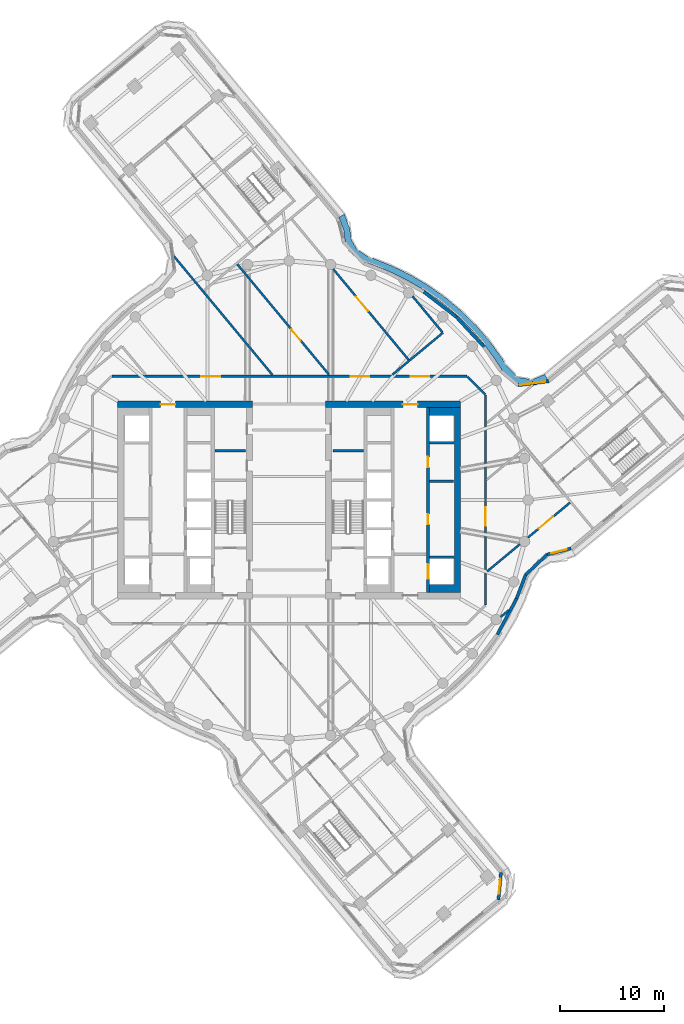
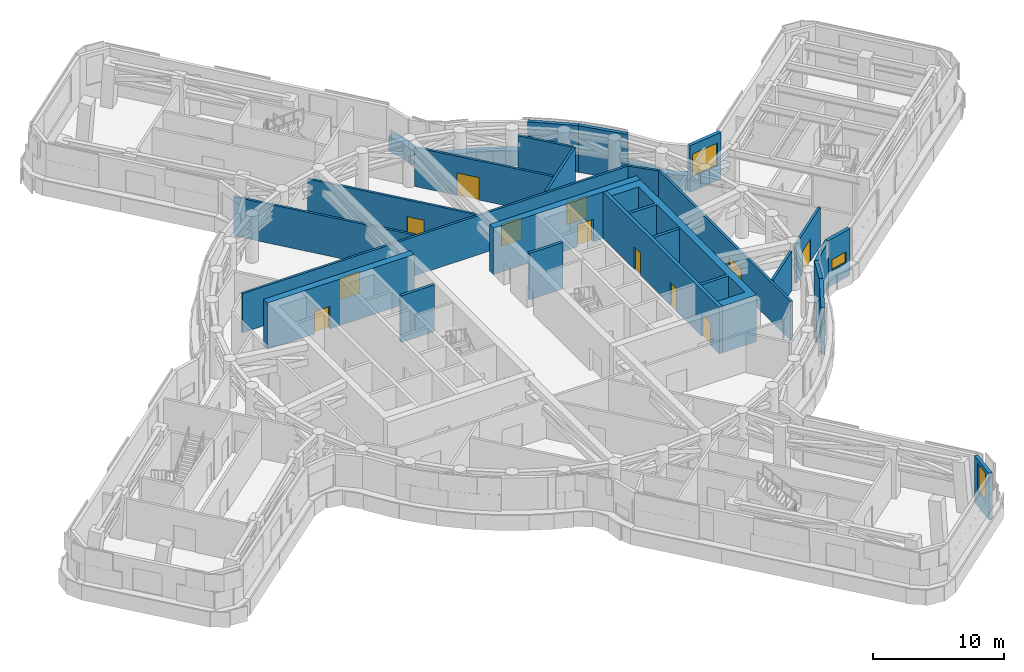
# One storey, part 11 of 22: 26 walls, 12 doors, 3 windows, 1 member, 15 openings.
"""IFC4 building model written with IfcOpenShell, lengths in metres."""

from ifc_helpers import new_model, si_unit, direction, frame, frame_2d, origin, place, context, subcontext, project, spatial, polyline, rectangle, outline, extrude, material, layer, layer_set, type_object, element, fill, aggregate, save


model = new_model("IFC4")

# Units and contexts
model_context = context("Model", 3, precision=1e-05, world=origin(), true_north=direction((0.0, 1.0)))
body_context = subcontext(model_context, "Body", "Model", "MODEL_VIEW")
ifc_project = project(units=[si_unit("LENGTHUNIT", "METRE"), si_unit("AREAUNIT", "SQUARE_METRE"), si_unit("VOLUMEUNIT", "CUBIC_METRE"), si_unit("PLANEANGLEUNIT", "RADIAN"), si_unit("MASSUNIT", "GRAM", prefix="KILO")], contexts=[model_context])

# Member
ifc_material_1 = material(Name="Aluminium and insulated spandrel panel", Category="aluminium")
member_type = type_object("IfcMemberType", Name="Floor-edge blade transom", PredefinedType="USERDEFINED", material=ifc_material_1)
site_placement = place(None, origin())
building_placement = place(site_placement, origin())
storey_placement = place(building_placement, frame((0.0, 0.0, 178.0)))
member_placement = place(storey_placement, origin())
member = element("IfcMember", 1, at=member_placement, type_object=member_type, Name="CWT-L44-10", ObjectType="TRANSOM", PredefinedType="USERDEFINED", context=body_context, shape_type="SweptSolid", body=[
    extrude(outline(polyline([(24.895263671875, 11.555419921875), (23.729248046875, 11.05517578125), (23.177490234375, 10.989990234375), (22.070556640625, 11.180419921875), (21.572021484375, 11.426025390625), (20.46044921875, 12.508544921875), (20.031982421875, 13.2109375), (18.87255859375, 14.820068359375), (17.584228515625, 16.327880859375), (16.17578125, 17.72412109375), (14.656982421875, 18.99951171875), (13.0380859375, 20.14501953125), (11.329833984375, 21.15283203125), (9.54443359375, 22.01611328125), (7.7724609375, 22.703857421875), (7.268798828125, 22.8828125), (6.056640625, 23.691162109375), (5.391357421875, 24.85693359375), (5.250732421875, 25.955322265625), (4.7900390625, 27.18896484375), (5.316650390625, 27.494140625), (5.837158203125, 26.100341796875), (5.971435546875, 25.051025390625), (6.50732421875, 24.11181640625), (7.539794921875, 23.42333984375), (7.9814453125, 23.266357421875), (9.783935546875, 22.566650390625), (11.613525390625, 21.68212890625), (13.3642578125, 20.64892578125), (15.023681640625, 19.474853515625), (16.580810546875, 18.167724609375), (18.0244140625, 16.736572265625), (19.344970703125, 15.19091796875), (20.5322265625, 13.54296875), (20.93310546875, 12.885498046875), (21.922607421875, 11.922119140625), (22.2578125, 11.757080078125), (23.193359375, 11.59619140625), (23.572509765625, 11.640869140625), (24.57958984375, 12.072998046875), (24.895263671875, 11.555419921875)])), origin(), (0.0, 0.0, 1.0), 1.39990234375),
])

# Site, building, storey
site = spatial("IfcSite", under=ifc_project, at=site_placement, CompositionType="ELEMENT")
building = spatial("IfcBuilding", under=site, at=building_placement, Name="Tamarind Cross Interchange Tower", CompositionType="ELEMENT")
storey = spatial("IfcBuildingStorey", under=building, at=storey_placement, Name="L44", CompositionType="ELEMENT", Elevation=178.0)

# Wall, opening, door
ifc_material_2 = material(Name="Concrete C60", Category="concrete")
ifc_layer_1 = layer(ifc_material_2, 0.60009765625)
ifc_layer_set_1 = layer_set([ifc_layer_1], Name="Concrete C60")
wall_type_1 = type_object("IfcWallType", Name="Core wall 600 mm Concrete C60", PredefinedType="SHEAR", material=ifc_layer_set_1)
wall_1_placement = place(storey_placement, frame((-16.5, 9.199951171875, 0.0), z_axis=(0.0, 0.0, 1.0), x_axis=(1.0, 0.0, 0.0)))
wall_1 = element("IfcWall", 2, at=wall_1_placement, inside=storey, type_object=wall_type_1, Name="Core wall CWL-L44-W-NE", PredefinedType="SHEAR", context=body_context, shape_type="SweptSolid", body=[
    extrude(rectangle(XDim=13.0, YDim=0.60009765625, at=frame_2d((6.5, 0.0))), origin(), (0.0, 0.0, 1.0), 4.360107421875),
])
opening_1_placement = place(wall_1_placement, frame((4.14990234375, 0.0, 0.0)))
opening_1 = element("IfcOpeningElement", 3, at=opening_1_placement, cuts=wall_1, Name="Opening DCW31", PredefinedType="OPENING", context=body_context, shape_type="SweptSolid", body=[
    extrude(rectangle(XDim=1.39990234375, YDim=2.10009765625, at=frame_2d((0.699951171875, 1.050048828125))), frame((0.0, 0.31005859375, 0.0), z_axis=(0.0, -1.0, 0.0), x_axis=(1.0, 0.0, 0.0)), (0.0, 0.0, 1.0), 0.6201171875),
])
ifc_material_3 = material(Name="Steel, fire-resisting", Category="steel")
door_type_1 = type_object("IfcDoorType", Name="Core fire door 1400 x 2100 FD90", OperationType="SINGLE_SWING_LEFT", PredefinedType="DOOR", material=ifc_material_3)
door_1_placement = place(opening_1_placement, origin())
door_1 = element("IfcDoor", 4, at=door_1_placement, inside=storey, type_object=door_type_1, Name="L44 lift hall exit door", OperationType="SINGLE_SWING_LEFT", OverallHeight=2.10009765625, OverallWidth=1.39990234375, PredefinedType="DOOR", context=body_context, shape_type="SweptSolid", body=[
    extrude(rectangle(XDim=1.39990234375, YDim=2.10009765625, at=frame_2d((0.699951171875, 1.050048828125))), frame((0.0, 0.02490234375, 0.0), z_axis=(0.0, -1.0, 0.0), x_axis=(1.0, 0.0, 0.0)), (0.0, 0.0, 1.0), 0.050048828125),
])
fill(opening_1, door_1)

# Wall
wall_2_placement = place(storey_placement, origin())
element("IfcWall", 5, at=wall_2_placement, inside=storey, type_object=wall_type_1, Name="Core wall CWL-L44-E-A", PredefinedType="SHEAR", context=body_context, shape_type="SweptSolid", body=[
    extrude(outline(polyline([(13.5, -8.125), (13.5, -8.89990234375), (15.89990234375, -8.89990234375), (16.5, -8.89990234375), (16.5, 8.89990234375), (15.89990234375, 8.89990234375), (13.5, 8.89990234375), (13.5, 8.125), (15.89990234375, 8.125), (15.89990234375, 5.625), (13.5, 5.625), (13.5, 5.375), (15.89990234375, 5.375), (15.89990234375, -5.375), (13.5, -5.375), (13.5, -5.625), (15.89990234375, -5.625), (15.89990234375, -8.125), (13.5, -8.125)])), origin(), (0.0, 0.0, 1.0), 4.360107421875),
])

# Wall, opening, door
wall_3_placement = place(storey_placement, frame((16.5, 9.199951171875, 0.0), z_axis=(0.0, 0.0, 1.0), x_axis=(-1.0, 0.0, 0.0)))
wall_3 = element("IfcWall", 6, at=wall_3_placement, inside=storey, type_object=wall_type_1, Name="Core wall CWL-L44-E-NE", PredefinedType="SHEAR", context=body_context, shape_type="SweptSolid", body=[
    extrude(rectangle(XDim=13.0, YDim=0.60009765625, at=frame_2d((6.5, 0.0))), origin(), (0.0, 0.0, 1.0), 4.360107421875),
])
opening_2_placement = place(wall_3_placement, frame((4.14990234375, 0.0, 0.0)))
opening_2 = element("IfcOpeningElement", 7, at=opening_2_placement, cuts=wall_3, Name="Opening DCE31", PredefinedType="OPENING", context=body_context, shape_type="SweptSolid", body=[
    extrude(rectangle(XDim=1.39990234375, YDim=2.10009765625, at=frame_2d((0.699951171875, 1.050048828125))), frame((0.0, 0.31005859375, 0.0), z_axis=(0.0, -1.0, 0.0), x_axis=(1.0, 0.0, 0.0)), (0.0, 0.0, 1.0), 0.6201171875),
])
door_2_placement = place(opening_2_placement, origin())
door_2 = element("IfcDoor", 8, at=door_2_placement, inside=storey, type_object=door_type_1, Name="L44 lift hall exit door", OperationType="SINGLE_SWING_LEFT", OverallHeight=2.10009765625, OverallWidth=1.39990234375, PredefinedType="DOOR", context=body_context, shape_type="SweptSolid", body=[
    extrude(rectangle(XDim=1.39990234375, YDim=2.10009765625, at=frame_2d((0.699951171875, 1.050048828125))), frame((0.0, 0.02490234375, 0.0), z_axis=(0.0, -1.0, 0.0), x_axis=(1.0, 0.0, 0.0)), (0.0, 0.0, 1.0), 0.050048828125),
])
fill(opening_2, door_2)

# Wall, openings, doors
ifc_layer_2 = layer(ifc_material_2, 0.300048828125)
ifc_layer_set_2 = layer_set([ifc_layer_2], Name="Concrete C60")
wall_type_2 = type_object("IfcWallType", Name="Core web wall 300 mm Concrete C60", PredefinedType="SHEAR", material=ifc_layer_set_2)
wall_4_placement = place(storey_placement, frame((13.35009765625, -8.89990234375, 0.0), z_axis=(0.0, 0.0, 1.0), x_axis=(0.0, 1.0, 0.0)))
wall_4 = element("IfcWall", 9, at=wall_4_placement, inside=storey, type_object=wall_type_2, Name="Core wall CWL-L44-E-LA", PredefinedType="SHEAR", context=body_context, shape_type="SweptSolid", body=[
    extrude(rectangle(XDim=17.7998046875, YDim=0.300048828125, at=frame_2d((8.89990234375, 0.0))), origin(), (0.0, 0.0, 1.0), 4.360107421875),
])
opening_3_placement = place(wall_4_placement, frame((1.324951171875, 0.0, 0.0)))
opening_3 = element("IfcOpeningElement", 10, at=opening_3_placement, cuts=wall_4, Name="Opening LD13L44", PredefinedType="OPENING", context=body_context, shape_type="SweptSolid", body=[
    extrude(rectangle(XDim=1.39990234375, YDim=2.10009765625, at=frame_2d((0.699951171875, 1.050048828125))), frame((0.0, 0.159912109375, 0.0), z_axis=(0.0, -1.0, 0.0), x_axis=(1.0, 0.0, 0.0)), (0.0, 0.0, 1.0), 0.320068359375),
])
opening_4_placement = place(wall_4_placement, frame((6.5458984375, 0.0, 0.0)))
opening_4 = element("IfcOpeningElement", 11, at=opening_4_placement, cuts=wall_4, Name="Opening DCE9", PredefinedType="OPENING", context=body_context, shape_type="SweptSolid", body=[
    extrude(rectangle(XDim=1.0, YDim=2.10009765625, at=frame_2d((0.5, 1.050048828125))), frame((0.0, 0.159912109375, 0.0), z_axis=(0.0, -1.0, 0.0), x_axis=(1.0, 0.0, 0.0)), (0.0, 0.0, 1.0), 0.320068359375),
])
opening_5_placement = place(wall_4_placement, frame((12.0458984375, 0.0, 0.0)))
opening_5 = element("IfcOpeningElement", 12, at=opening_5_placement, cuts=wall_4, Name="Opening DCE10", PredefinedType="OPENING", context=body_context, shape_type="SweptSolid", body=[
    extrude(rectangle(XDim=1.0, YDim=2.10009765625, at=frame_2d((0.5, 1.050048828125))), frame((0.0, 0.159912109375, 0.0), z_axis=(0.0, -1.0, 0.0), x_axis=(1.0, 0.0, 0.0)), (0.0, 0.0, 1.0), 0.320068359375),
])
door_type_2 = type_object("IfcDoorType", Name="Core fire door 1000 x 2100 FD90", OperationType="SINGLE_SWING_LEFT", PredefinedType="DOOR", material=ifc_material_3)
door_3_placement = place(opening_4_placement, origin())
door_3 = element("IfcDoor", 13, at=door_3_placement, inside=storey, type_object=door_type_2, Name="L44 Refuge switch room door", OperationType="SINGLE_SWING_LEFT", OverallHeight=2.10009765625, OverallWidth=1.0, PredefinedType="DOOR", context=body_context, shape_type="SweptSolid", body=[
    extrude(rectangle(XDim=1.0, YDim=2.10009765625, at=frame_2d((0.5, 1.050048828125))), frame((0.0, 0.02490234375, 0.0), z_axis=(0.0, -1.0, 0.0), x_axis=(1.0, 0.0, 0.0)), (0.0, 0.0, 1.0), 0.050048828125),
])
fill(opening_4, door_3)
door_4_placement = place(opening_5_placement, origin())
door_4 = element("IfcDoor", 14, at=door_4_placement, inside=storey, type_object=door_type_2, Name="L44 Refuge pump room door", OperationType="SINGLE_SWING_LEFT", OverallHeight=2.10009765625, OverallWidth=1.0, PredefinedType="DOOR", context=body_context, shape_type="SweptSolid", body=[
    extrude(rectangle(XDim=1.0, YDim=2.10009765625, at=frame_2d((0.5, 1.050048828125))), frame((0.0, 0.02490234375, 0.0), z_axis=(0.0, -1.0, 0.0), x_axis=(1.0, 0.0, 0.0)), (0.0, 0.0, 1.0), 0.050048828125),
])
fill(opening_5, door_4)
ifc_material_4 = material(Name="Stainless steel panel", Category="steel")
door_type_3 = type_object("IfcDoorType", Name="Lift landing door 1400 x 2100 E 120", OperationType="SLIDING_TO_LEFT", PredefinedType="DOOR", material=ifc_material_4)
door_5_placement = place(opening_3_placement, origin())
door_5 = element("IfcDoor", 15, at=door_5_placement, inside=storey, type_object=door_type_3, Name="L44 landing door LF13", OperationType="SLIDING_TO_LEFT", OverallHeight=2.10009765625, OverallWidth=1.39990234375, PredefinedType="DOOR", context=body_context, shape_type="SweptSolid", body=[
    extrude(rectangle(XDim=1.39990234375, YDim=2.10009765625, at=frame_2d((0.699951171875, 1.050048828125))), frame((0.0, 0.02490234375, 0.0), z_axis=(0.0, -1.0, 0.0), x_axis=(1.0, 0.0, 0.0)), (0.0, 0.0, 1.0), 0.050048828125),
])
fill(opening_3, door_5)

# Wall
ifc_material_5 = material(Name="Gypsum board partition on steel studs", Category="steel")
ifc_layer_3 = layer(ifc_material_5, 0.199951171875)
ifc_layer_set_3 = layer_set([ifc_layer_3], Name="Gypsum board partition on steel studs")
wall_type_3 = type_object("IfcWallType", Name="Partition 200 mm EI 180", PredefinedType="PARTITIONING", material=ifc_layer_set_3)
wall_5_placement = place(storey_placement, frame((-11.071044921875, 23.43701171875, 0.0), z_axis=(0.0, 0.0, 1.0), x_axis=(0.638803078779, -0.769370279217, 0.0)))
element("IfcWall", 16, at=wall_5_placement, inside=storey, type_object=wall_type_3, Name="Partition L44-011", PredefinedType="PARTITIONING", context=body_context, shape_type="SweptSolid", body=[
    extrude(rectangle(XDim=14.805419921875, YDim=0.199951171875, at=frame_2d((7.40283203125, 0.0))), origin(), (0.0, 0.0, 1.0), 3.659912109375),
])

# Wall, opening, door
wall_6_placement = place(storey_placement, frame((-4.97900390625, 22.675048828125, 0.0), z_axis=(0.0, 0.0, 1.0), x_axis=(0.63878577388, -0.769384647032, 0.0)))
wall_6 = element("IfcWall", 17, at=wall_6_placement, inside=storey, type_object=wall_type_3, Name="Partition L44-014", PredefinedType="PARTITIONING", context=body_context, shape_type="SweptSolid", body=[
    extrude(rectangle(XDim=13.814697265625, YDim=0.199951171875, at=frame_2d((6.9072265625, 0.0))), origin(), (0.0, 0.0, 1.0), 3.659912109375),
])
opening_6_placement = place(wall_6_placement, frame((8.14990234375, 0.0, 0.0)))
opening_6 = element("IfcOpeningElement", 18, at=opening_6_placement, cuts=wall_6, Name="Opening D07", PredefinedType="OPENING", context=body_context, shape_type="SweptSolid", body=[
    extrude(rectangle(XDim=1.39990234375, YDim=2.10009765625, at=frame_2d((0.699951171875, 1.050048828125))), frame((0.0, 0.10986328125, 0.0), z_axis=(0.0, -1.0, 0.0), x_axis=(1.0, 0.0, 0.0)), (0.0, 0.0, 1.0), 0.219970703125),
])
ifc_material_6 = material(Name="Fire-resisting door set")
door_type_4 = type_object("IfcDoorType", Name="Interior door 1400 x 2100 FD120S", OperationType="DOUBLE_DOOR_SINGLE_SWING", PredefinedType="DOOR", material=ifc_material_6)
door_6_placement = place(opening_6_placement, frame((1.39990234375, 0.0, 0.0), z_axis=(0.0, 0.0, 1.0), x_axis=(-1.0, 0.0, 0.0)))
door_6 = element("IfcDoor", 19, at=door_6_placement, inside=storey, type_object=door_type_4, Name="Door D07", OperationType="DOUBLE_DOOR_SINGLE_SWING", OverallHeight=2.10009765625, OverallWidth=1.39990234375, PredefinedType="DOOR", context=body_context, shape_type="SweptSolid", body=[
    extrude(rectangle(XDim=1.39990234375, YDim=2.10009765625, at=frame_2d((0.699951171875, 1.050048828125))), frame((0.0, 0.02490234375, 0.0), z_axis=(0.0, -1.0, 0.0), x_axis=(1.0, 0.0, 0.0)), (0.0, 0.0, 1.0), 0.050048828125),
])
fill(opening_6, door_6)

wall_7_placement = place(storey_placement, frame((4.246337890625, 22.208251953125, 0.0), z_axis=(0.0, 0.0, 1.0), x_axis=(0.638799352095, -0.769373373443, 0.0)))
wall_7 = element("IfcWall", 20, at=wall_7_placement, inside=storey, type_object=wall_type_3, Name="Partition L44-018", PredefinedType="PARTITIONING", context=body_context, shape_type="SweptSolid", body=[
    extrude(rectangle(XDim=11.347412109375, YDim=0.199951171875, at=frame_2d((5.673828125, 0.0))), origin(), (0.0, 0.0, 1.0), 3.659912109375),
])
opening_7_placement = place(wall_7_placement, frame((3.449951171875, 0.0, 0.0)))
opening_7 = element("IfcOpeningElement", 21, at=opening_7_placement, cuts=wall_7, Name="Opening D10", PredefinedType="OPENING", context=body_context, shape_type="SweptSolid", body=[
    extrude(rectangle(XDim=1.800048828125, YDim=2.10009765625, at=frame_2d((0.89990234375, 1.050048828125))), frame((0.0, 0.10986328125, 0.0), z_axis=(0.0, -1.0, 0.0), x_axis=(1.0, 0.0, 0.0)), (0.0, 0.0, 1.0), 0.219970703125),
])
door_type_5 = type_object("IfcDoorType", Name="Interior door 1800 x 2100 FD120S", OperationType="DOUBLE_DOOR_SINGLE_SWING", PredefinedType="DOOR", material=ifc_material_6)
door_7_placement = place(opening_7_placement, origin())
door_7 = element("IfcDoor", 22, at=door_7_placement, inside=storey, type_object=door_type_5, Name="Door D10", OperationType="DOUBLE_DOOR_SINGLE_SWING", OverallHeight=2.10009765625, OverallWidth=1.800048828125, PredefinedType="DOOR", context=body_context, shape_type="SweptSolid", body=[
    extrude(rectangle(XDim=1.800048828125, YDim=2.10009765625, at=frame_2d((0.89990234375, 1.050048828125))), frame((0.0, 0.02490234375, 0.0), z_axis=(0.0, -1.0, 0.0), x_axis=(1.0, 0.0, 0.0)), (0.0, 0.0, 1.0), 0.050048828125),
])
fill(opening_7, door_7)

# Walls
wall_8_placement = place(storey_placement, frame((11.874267578125, 19.59619140625, 0.0), z_axis=(0.0, 0.0, 1.0), x_axis=(0.638759023873, -0.769406855584, 0.0)))
element("IfcWall", 23, at=wall_8_placement, inside=storey, type_object=wall_type_3, Name="Partition L44-025", PredefinedType="PARTITIONING", context=body_context, shape_type="SweptSolid", body=[
    extrude(rectangle(XDim=4.48486328125, YDim=0.199951171875, at=frame_2d((2.242431640625, 0.0))), origin(), (0.0, 0.0, 1.0), 3.659912109375),
])
wall_9_placement = place(storey_placement, frame((17.142333984375, 11.857666015625, 0.0), z_axis=(0.0, 0.0, 1.0), x_axis=(0.707106781187, -0.707106781187, 0.0)))
element("IfcWall", 24, at=wall_9_placement, inside=storey, type_object=wall_type_3, Name="Partition L44-033", PredefinedType="PARTITIONING", context=body_context, shape_type="SweptSolid", body=[
    extrude(rectangle(XDim=2.42578125, YDim=0.199951171875, at=frame_2d((1.212890625, 0.0))), origin(), (0.0, 0.0, 1.0), 3.659912109375),
])

# Wall, openings, doors
wall_10_placement = place(storey_placement, frame((-17.044921875, 11.89990234375, 0.0), z_axis=(0.0, 0.0, 1.0), x_axis=(1.0, 0.0, 0.0)))
wall_10 = element("IfcWall", 25, at=wall_10_placement, inside=storey, type_object=wall_type_3, Name="Partition L44-035", PredefinedType="PARTITIONING", context=body_context, shape_type="SweptSolid", body=[
    extrude(rectangle(XDim=34.14501953125, YDim=0.199951171875, at=frame_2d((17.072509765625, 0.0))), origin(), (0.0, 0.0, 1.0), 3.659912109375),
])
opening_8_placement = place(wall_10_placement, frame((22.9619140625, 0.0, 0.0)))
opening_8 = element("IfcOpeningElement", 26, at=opening_8_placement, cuts=wall_10, Name="Opening D20", PredefinedType="OPENING", context=body_context, shape_type="SweptSolid", body=[
    extrude(rectangle(XDim=1.800048828125, YDim=2.10009765625, at=frame_2d((0.89990234375, 1.050048828125))), frame((0.0, 0.10986328125, 0.0), z_axis=(0.0, -1.0, 0.0), x_axis=(1.0, 0.0, 0.0)), (0.0, 0.0, 1.0), 0.219970703125),
])
opening_9_placement = place(wall_10_placement, frame((28.7470703125, 0.0, 0.0)))
opening_9 = element("IfcOpeningElement", 27, at=opening_9_placement, cuts=wall_10, Name="Opening D21", PredefinedType="OPENING", context=body_context, shape_type="SweptSolid", body=[
    extrude(rectangle(XDim=1.800048828125, YDim=2.10009765625, at=frame_2d((0.89990234375, 1.050048828125))), frame((0.0, 0.10986328125, 0.0), z_axis=(0.0, -1.0, 0.0), x_axis=(1.0, 0.0, 0.0)), (0.0, 0.0, 1.0), 0.219970703125),
])
opening_10_placement = place(wall_10_placement, frame((8.611083984375, 0.0, 0.0)))
opening_10 = element("IfcOpeningElement", 28, at=opening_10_placement, cuts=wall_10, Name="Opening D22", PredefinedType="OPENING", context=body_context, shape_type="SweptSolid", body=[
    extrude(rectangle(XDim=1.800048828125, YDim=2.10009765625, at=frame_2d((0.89990234375, 1.050048828125))), frame((0.0, 0.10986328125, 0.0), z_axis=(0.0, -1.0, 0.0), x_axis=(1.0, 0.0, 0.0)), (0.0, 0.0, 1.0), 0.219970703125),
])
door_8_placement = place(opening_8_placement, frame((1.800048828125, 0.0, 0.0), z_axis=(0.0, 0.0, 1.0), x_axis=(-1.0, 0.0, 0.0)))
door_8 = element("IfcDoor", 29, at=door_8_placement, inside=storey, type_object=door_type_5, Name="Door D20", OperationType="DOUBLE_DOOR_SINGLE_SWING", OverallHeight=2.10009765625, OverallWidth=1.800048828125, PredefinedType="DOOR", context=body_context, shape_type="SweptSolid", body=[
    extrude(rectangle(XDim=1.800048828125, YDim=2.10009765625, at=frame_2d((0.89990234375, 1.050048828125))), frame((0.0, 0.02490234375, 0.0), z_axis=(0.0, -1.0, 0.0), x_axis=(1.0, 0.0, 0.0)), (0.0, 0.0, 1.0), 0.050048828125),
])
fill(opening_8, door_8)
door_9_placement = place(opening_9_placement, origin())
door_9 = element("IfcDoor", 30, at=door_9_placement, inside=storey, type_object=door_type_5, Name="Door D21", OperationType="DOUBLE_DOOR_SINGLE_SWING", OverallHeight=2.10009765625, OverallWidth=1.800048828125, PredefinedType="DOOR", context=body_context, shape_type="SweptSolid", body=[
    extrude(rectangle(XDim=1.800048828125, YDim=2.10009765625, at=frame_2d((0.89990234375, 1.050048828125))), frame((0.0, 0.02490234375, 0.0), z_axis=(0.0, -1.0, 0.0), x_axis=(1.0, 0.0, 0.0)), (0.0, 0.0, 1.0), 0.050048828125),
])
fill(opening_9, door_9)
door_10_placement = place(opening_10_placement, origin())
door_10 = element("IfcDoor", 31, at=door_10_placement, inside=storey, type_object=door_type_5, Name="Door D22", OperationType="DOUBLE_DOOR_SINGLE_SWING", OverallHeight=2.10009765625, OverallWidth=1.800048828125, PredefinedType="DOOR", context=body_context, shape_type="SweptSolid", body=[
    extrude(rectangle(XDim=1.800048828125, YDim=2.10009765625, at=frame_2d((0.89990234375, 1.050048828125))), frame((0.0, 0.02490234375, 0.0), z_axis=(0.0, -1.0, 0.0), x_axis=(1.0, 0.0, 0.0)), (0.0, 0.0, 1.0), 0.050048828125),
])
fill(opening_10, door_10)

# Walls
wall_11_placement = place(storey_placement, frame((9.9443359375, 12.059814453125, 0.0), z_axis=(0.0, 0.0, 1.0), x_axis=(0.769306721451, 0.638879619593, 0.0)))
element("IfcWall", 32, at=wall_11_placement, inside=storey, type_object=wall_type_3, Name="Partition L44-058", PredefinedType="PARTITIONING", context=body_context, shape_type="SweptSolid", body=[
    extrude(rectangle(XDim=6.298828125, YDim=0.199951171875, at=frame_2d((3.1494140625, 0.0))), origin(), (0.0, 0.0, 1.0), 3.659912109375),
])
wall_12_placement = place(storey_placement, frame((20.357421875, -11.2421875, 0.0), z_axis=(0.0, 0.0, 1.0), x_axis=(0.769471849362, 0.638680728565, 0.0)))
element("IfcWall", 33, at=wall_12_placement, inside=storey, type_object=wall_type_3, Name="Partition L44-060", PredefinedType="PARTITIONING", context=body_context, shape_type="SweptSolid", body=[
    extrude(rectangle(XDim=1.02294921875, YDim=0.199951171875, at=frame_2d((0.511474609375, 0.0))), origin(), (0.0, 0.0, 1.0), 3.659912109375),
])
wall_13_placement = place(storey_placement, frame((19.046142578125, -6.87158203125, 0.0), z_axis=(0.0, 0.0, 1.0), x_axis=(0.7693983164, 0.63876930947, 0.0)))
element("IfcWall", 34, at=wall_13_placement, inside=storey, type_object=wall_type_3, Name="Partition L44-061", PredefinedType="PARTITIONING", context=body_context, shape_type="SweptSolid", body=[
    extrude(rectangle(XDim=4.10986328125, YDim=0.199951171875, at=frame_2d((2.054931640625, 0.0))), origin(), (0.0, 0.0, 1.0), 3.659912109375),
])

# Wall, opening, door
wall_14_placement = place(storey_placement, frame((22.968505859375, -3.614990234375, 0.0), z_axis=(0.0, 0.0, 1.0), x_axis=(0.769379352308, 0.638792151049, 0.0)))
wall_14 = element("IfcWall", 35, at=wall_14_placement, inside=storey, type_object=wall_type_3, Name="Partition L44-062", PredefinedType="PARTITIONING", context=body_context, shape_type="SweptSolid", body=[
    extrude(rectangle(XDim=5.2646484375, YDim=0.199951171875, at=frame_2d((2.63232421875, 0.0))), origin(), (0.0, 0.0, 1.0), 3.659912109375),
])
opening_11_placement = place(wall_14_placement, frame((1.35009765625, 0.0, 0.0)))
opening_11 = element("IfcOpeningElement", 36, at=opening_11_placement, cuts=wall_14, Name="Opening D30", PredefinedType="OPENING", context=body_context, shape_type="SweptSolid", body=[
    extrude(rectangle(XDim=1.800048828125, YDim=2.10009765625, at=frame_2d((0.89990234375, 1.050048828125))), frame((0.0, 0.10986328125, 0.0), z_axis=(0.0, -1.0, 0.0), x_axis=(1.0, 0.0, 0.0)), (0.0, 0.0, 1.0), 0.219970703125),
])
door_11_placement = place(opening_11_placement, frame((1.800048828125, 0.0, 0.0), z_axis=(0.0, 0.0, 1.0), x_axis=(-1.0, 0.0, 0.0)))
door_11 = element("IfcDoor", 37, at=door_11_placement, inside=storey, type_object=door_type_5, Name="Door D30", OperationType="DOUBLE_DOOR_SINGLE_SWING", OverallHeight=2.10009765625, OverallWidth=1.800048828125, PredefinedType="DOOR", context=body_context, shape_type="SweptSolid", body=[
    extrude(rectangle(XDim=1.800048828125, YDim=2.10009765625, at=frame_2d((0.89990234375, 1.050048828125))), frame((0.0, 0.02490234375, 0.0), z_axis=(0.0, -1.0, 0.0), x_axis=(1.0, 0.0, 0.0)), (0.0, 0.0, 1.0), 0.050048828125),
])
fill(opening_11, door_11)

wall_15_placement = place(storey_placement, frame((18.89990234375, -10.10009765625, 0.0), z_axis=(0.0, 0.0, 1.0), x_axis=(0.0, 1.0, 0.0)))
wall_15 = element("IfcWall", 38, at=wall_15_placement, inside=storey, type_object=wall_type_3, Name="Partition L44-071", PredefinedType="PARTITIONING", context=body_context, shape_type="SweptSolid", body=[
    extrude(rectangle(XDim=20.2001953125, YDim=0.199951171875, at=frame_2d((10.10009765625, 0.0))), origin(), (0.0, 0.0, 1.0), 3.659912109375),
])
opening_12_placement = place(wall_15_placement, frame((7.60693359375, 0.0, 0.0)))
opening_12 = element("IfcOpeningElement", 39, at=opening_12_placement, cuts=wall_15, Name="Opening D35", PredefinedType="OPENING", context=body_context, shape_type="SweptSolid", body=[
    extrude(rectangle(XDim=1.800048828125, YDim=2.10009765625, at=frame_2d((0.89990234375, 1.050048828125))), frame((0.0, 0.10986328125, 0.0), z_axis=(0.0, -1.0, 0.0), x_axis=(1.0, 0.0, 0.0)), (0.0, 0.0, 1.0), 0.219970703125),
])
door_12_placement = place(opening_12_placement, origin())
door_12 = element("IfcDoor", 40, at=door_12_placement, inside=storey, type_object=door_type_5, Name="Door D35", OperationType="DOUBLE_DOOR_SINGLE_SWING", OverallHeight=2.10009765625, OverallWidth=1.800048828125, PredefinedType="DOOR", context=body_context, shape_type="SweptSolid", body=[
    extrude(rectangle(XDim=1.800048828125, YDim=2.10009765625, at=frame_2d((0.89990234375, 1.050048828125))), frame((0.0, 0.02490234375, 0.0), z_axis=(0.0, -1.0, 0.0), x_axis=(1.0, 0.0, 0.0)), (0.0, 0.0, 1.0), 0.050048828125),
])
fill(opening_12, door_12)

# Wall, opening, window
ifc_material_7 = material(Name="Precast concrete C40", Category="concrete")
ifc_layer_4 = layer(ifc_material_7, 0.300048828125)
ifc_layer_set_4 = layer_set([ifc_layer_4], Name="Precast concrete C40")
wall_type_4 = type_object("IfcWallType", Name="Plant louvre wall", PredefinedType="SOLIDWALL", material=ifc_layer_set_4)
wall_16_placement = place(storey_placement, frame((20.13427734375, -38.45361328125, 0.0), z_axis=(0.0, 0.0, 1.0), x_axis=(0.092325349444, 0.995728893751, 0.0)))
wall_16 = element("IfcWall", 41, at=wall_16_placement, inside=storey, type_object=wall_type_4, Name="EXW-L44-04-01", PredefinedType="SOLIDWALL", context=body_context, shape_type="SweptSolid", body=[
    extrude(rectangle(XDim=2.644287109375, YDim=0.300048828125, at=frame_2d((1.322265625, 0.0))), origin(), (0.0, 0.0, 1.0), 4.360107421875),
])
opening_13_placement = place(wall_16_placement, frame((0.60009765625, 0.0, 1.39990234375)))
opening_13 = element("IfcOpeningElement", 42, at=opening_13_placement, cuts=wall_16, Name="Opening W2", PredefinedType="OPENING", context=body_context, shape_type="SweptSolid", body=[
    extrude(rectangle(XDim=1.4443359375, YDim=2.60009765625, at=frame_2d((0.72216796875, 1.300048828125))), frame((0.0, 0.159912109375, 0.0), z_axis=(0.0, -1.0, 0.0), x_axis=(1.0, 0.0, 0.0)), (0.0, 0.0, 1.0), 0.320068359375),
])
ifc_material_8 = material(Name="Aluminium louvre", Category="aluminium")
window_type_1 = type_object("IfcWindowType", Name="Plant louvre bank", PartitioningType="SINGLE_PANEL", PredefinedType="WINDOW", material=ifc_material_8)
window_1_placement = place(opening_13_placement, origin())
window_1 = element("IfcWindow", 43, at=window_1_placement, inside=storey, type_object=window_type_1, Name="WIN-L44-04-01", OverallHeight=2.60009765625, OverallWidth=1.4443359375, PartitioningType="SINGLE_PANEL", PredefinedType="WINDOW", context=body_context, shape_type="SweptSolid", body=[
    extrude(rectangle(XDim=1.4443359375, YDim=2.60009765625, at=frame_2d((0.72216796875, 1.300048828125))), frame((0.0, 0.030029296875, 0.0), z_axis=(0.0, -1.0, 0.0), x_axis=(1.0, 0.0, 0.0)), (0.0, 0.0, 1.0), 0.06005859375),
])
fill(opening_13, window_1)

# Walls
wall_17_placement = place(storey_placement, frame((20.018798828125, -12.956298828125, 0.0), z_axis=(0.0, 0.0, 1.0), x_axis=(0.472180126088, 0.881502086513, 0.0)))
element("IfcWall", 44, at=wall_17_placement, inside=storey, type_object=wall_type_4, Name="EXW-L44-06-05", PredefinedType="SOLIDWALL", context=body_context, shape_type="SweptSolid", body=[
    extrude(rectangle(XDim=3.9384765625, YDim=0.300048828125, at=frame_2d((1.96923828125, 0.0))), origin(), (0.0, 0.0, 1.0), 4.360107421875),
])
wall_18_placement = place(storey_placement, frame((21.87841796875, -9.484619140625, 0.0), z_axis=(0.0, 0.0, 1.0), x_axis=(0.355729376875, 0.934589006156, 0.0)))
element("IfcWall", 45, at=wall_18_placement, inside=storey, type_object=wall_type_4, Name="EXW-L44-06-06", PredefinedType="SOLIDWALL", context=body_context, shape_type="SweptSolid", body=[
    extrude(rectangle(XDim=2.443359375, YDim=0.300048828125, at=frame_2d((1.2216796875, 0.0))), origin(), (0.0, 0.0, 1.0), 4.360107421875),
])
wall_19_placement = place(storey_placement, frame((22.74755859375, -7.201171875, 0.0), z_axis=(0.0, 0.0, 1.0), x_axis=(0.725512114768, 0.68820939497, 0.0)))
element("IfcWall", 46, at=wall_19_placement, inside=storey, type_object=wall_type_4, Name="EXW-L44-06-07", PredefinedType="SOLIDWALL", context=body_context, shape_type="SweptSolid", body=[
    extrude(rectangle(XDim=2.840576171875, YDim=0.300048828125, at=frame_2d((1.42041015625, 0.0))), origin(), (0.0, 0.0, 1.0), 4.360107421875),
])

# Wall, opening, window
wall_20_placement = place(storey_placement, frame((24.808349609375, -5.246337890625, 0.0), z_axis=(0.0, 0.0, 1.0), x_axis=(0.968959583325, 0.247219185913, 0.0)))
wall_20 = element("IfcWall", 47, at=wall_20_placement, inside=storey, type_object=wall_type_4, Name="EXW-L44-06-08", PredefinedType="SOLIDWALL", context=body_context, shape_type="SweptSolid", body=[
    extrude(rectangle(XDim=2.3779296875, YDim=0.300048828125, at=frame_2d((1.18896484375, 0.0))), origin(), (0.0, 0.0, 1.0), 4.360107421875),
])
opening_14_placement = place(wall_20_placement, frame((0.449951171875, 0.0, 1.39990234375)))
opening_14 = element("IfcOpeningElement", 48, at=opening_14_placement, cuts=wall_20, Name="Opening W5", PredefinedType="OPENING", context=body_context, shape_type="SweptSolid", body=[
    extrude(rectangle(XDim=1.5, YDim=1.0, at=frame_2d((0.75, 0.5))), frame((0.0, 0.159912109375, 0.0), z_axis=(0.0, -1.0, 0.0), x_axis=(1.0, 0.0, 0.0)), (0.0, 0.0, 1.0), 0.320068359375),
])
ifc_material_9 = material(Name="Aluminium and fire-resisting glass", Category="aluminium")
window_type_2 = type_object("IfcWindowType", Name="Refuge opening window", PartitioningType="DOUBLE_PANEL_VERTICAL", PredefinedType="WINDOW", material=ifc_material_9)
window_2_placement = place(opening_14_placement, origin())
window_2 = element("IfcWindow", 49, at=window_2_placement, inside=storey, type_object=window_type_2, Name="RSW-L44-06-00", OverallHeight=1.0, OverallWidth=1.5, PartitioningType="SINGLE_PANEL", PredefinedType="WINDOW", context=body_context, shape_type="SweptSolid", body=[
    extrude(rectangle(XDim=1.5, YDim=1.0, at=frame_2d((0.75, 0.5))), frame((0.0, 0.030029296875, 0.0), z_axis=(0.0, -1.0, 0.0), x_axis=(1.0, 0.0, 0.0)), (0.0, 0.0, 1.0), 0.06005859375),
])
fill(opening_14, window_2)

wall_21_placement = place(storey_placement, frame((24.97412109375, 11.426025390625, 0.0), z_axis=(0.0, 0.0, 1.0), x_axis=(-0.991381265138, -0.131008347573, 0.0)))
wall_21 = element("IfcWall", 50, at=wall_21_placement, inside=storey, type_object=wall_type_4, Name="EXW-L44-10-00", PredefinedType="SOLIDWALL", context=body_context, shape_type="SweptSolid", body=[
    extrude(rectangle(XDim=2.97607421875, YDim=0.300048828125, at=frame_2d((1.488037109375, 0.0))), origin(), (0.0, 0.0, 1.0), 4.360107421875),
])
opening_15_placement = place(wall_21_placement, frame((0.35009765625, 0.0, 1.39990234375)))
opening_15 = element("IfcOpeningElement", 51, at=opening_15_placement, cuts=wall_21, Name="Opening W3", PredefinedType="OPENING", context=body_context, shape_type="SweptSolid", body=[
    extrude(rectangle(XDim=2.39990234375, YDim=2.10009765625, at=frame_2d((1.199951171875, 1.050048828125))), frame((0.0, 0.159912109375, 0.0), z_axis=(0.0, -1.0, 0.0), x_axis=(1.0, 0.0, 0.0)), (0.0, 0.0, 1.0), 0.320068359375),
])
window_type_3 = type_object("IfcWindowType", Name="Refuge rescue window", PartitioningType="DOUBLE_PANEL_VERTICAL", PredefinedType="WINDOW", material=ifc_material_9)
window_3_placement = place(opening_15_placement, origin())
window_3 = element("IfcWindow", 52, at=window_3_placement, inside=storey, type_object=window_type_3, Name="RSW-L44-10-04", OverallHeight=2.10009765625, OverallWidth=2.39990234375, PartitioningType="SINGLE_PANEL", PredefinedType="WINDOW", context=body_context, shape_type="SweptSolid", body=[
    extrude(rectangle(XDim=2.39990234375, YDim=2.10009765625, at=frame_2d((1.199951171875, 1.050048828125))), frame((0.0, 0.030029296875, 0.0), z_axis=(0.0, -1.0, 0.0), x_axis=(1.0, 0.0, 0.0)), (0.0, 0.0, 1.0), 0.06005859375),
])
fill(opening_15, window_3)

aggregate(wall_21, [member])

# Walls
wall_22_placement = place(storey_placement, frame((18.75439453125, 14.727294921875, 0.0), z_axis=(0.0, 0.0, 1.0), x_axis=(-0.680429698926, 0.732813362883, 0.0)))
element("IfcWall", 53, at=wall_22_placement, inside=storey, type_object=wall_type_4, Name="EXW-L44-10-03", PredefinedType="SOLIDWALL", context=body_context, shape_type="SweptSolid", body=[
    extrude(rectangle(XDim=3.938232421875, YDim=0.300048828125, at=frame_2d((1.96923828125, 0.0))), origin(), (0.0, 0.0, 1.0), 4.360107421875),
])
wall_23_placement = place(storey_placement, frame((16.07470703125, 17.61328125, 0.0), z_axis=(0.0, 0.0, 1.0), x_axis=(-0.79179596038, 0.610785688376, 0.0)))
element("IfcWall", 54, at=wall_23_placement, inside=storey, type_object=wall_type_4, Name="EXW-L44-10-04", PredefinedType="SOLIDWALL", context=body_context, shape_type="SweptSolid", body=[
    extrude(rectangle(XDim=3.9384765625, YDim=0.300048828125, at=frame_2d((1.96923828125, 0.0))), origin(), (0.0, 0.0, 1.0), 4.360107421875),
])
ifc_material_10 = material(Name="Concrete C40", Category="concrete")
ifc_layer_5 = layer(ifc_material_10, 0.25)
ifc_layer_set_5 = layer_set([ifc_layer_5], Name="Concrete C40")
wall_type_5 = type_object("IfcWallType", Name="Shaft and lobby wall 250 mm Concrete C40", PredefinedType="PARTITIONING", material=ifc_layer_set_5)
for number, where, z_axis, x_axis, name in (
    (55, (-7.14990234375, 4.719970703125, 0.0), (0.0, 0.0, 1.0), (1.0, 0.0, 0.0), "Shaft wall CWL-L44-W-SVP"),
    (56, (7.14990234375, 4.719970703125, 0.0), (0.0, 0.0, 1.0), (-1.0, 0.0, 0.0), "Shaft wall CWL-L44-E-SVP"),
):
    element("IfcWall", number, at=place(storey_placement, frame(where, z_axis=z_axis, x_axis=x_axis)), inside=storey, type_object=wall_type_5, Name=name, PredefinedType="PARTITIONING", context=body_context, shape_type="SweptSolid", body=[
        extrude(rectangle(XDim=2.949951171875, YDim=0.25, at=frame_2d((1.47509765625, 0.0))), origin(), (0.0, 0.0, 1.0), 4.360107421875),
    ])
wall_24_placement = place(storey_placement, frame((15.800048828125, 1.7919921875, 0.0), z_axis=(0.0, 0.0, 1.0), x_axis=(-1.0, 0.0, 0.0)))
element("IfcWall", 57, at=wall_24_placement, inside=storey, type_object=wall_type_5, Name="Shaft wall CWL-L44-E-FPA1", PredefinedType="PARTITIONING", context=body_context, shape_type="SweptSolid", body=[
    extrude(rectangle(XDim=2.300048828125, YDim=0.25, at=frame_2d((1.14990234375, 0.0))), origin(), (0.0, 0.0, 1.0), 4.360107421875),
])

save(model, "model.ifc")
